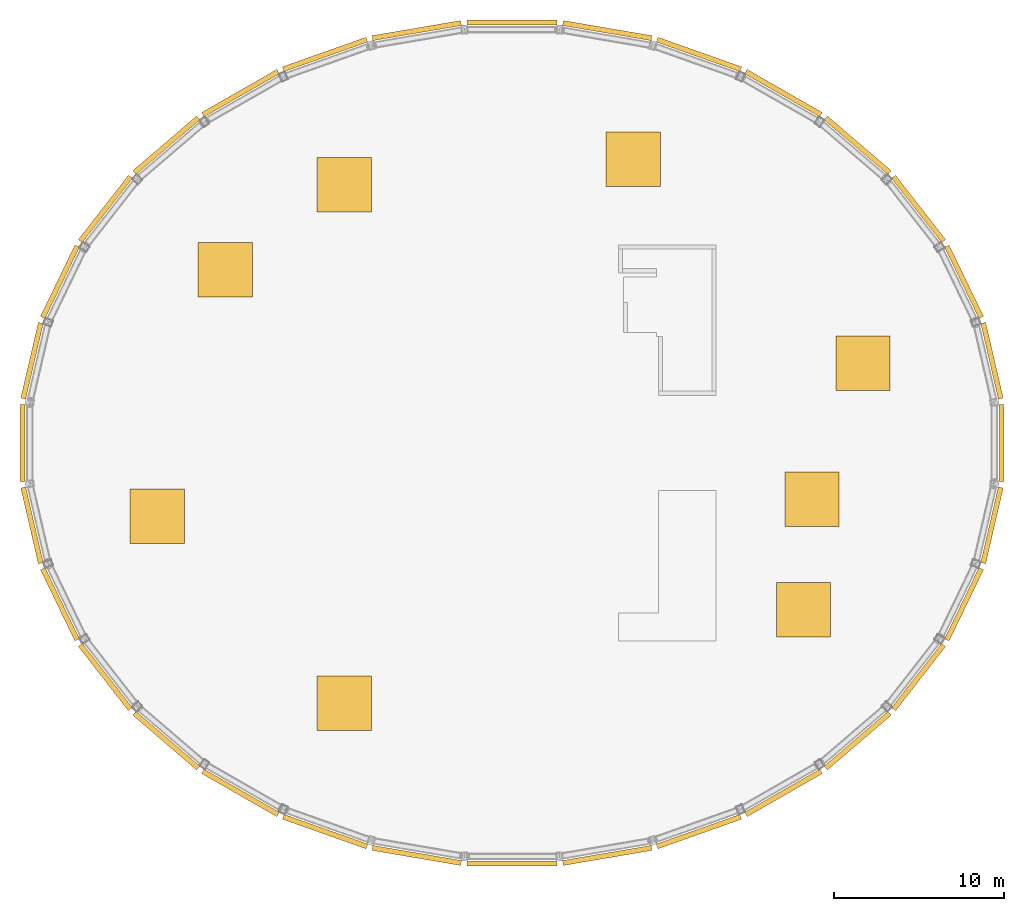
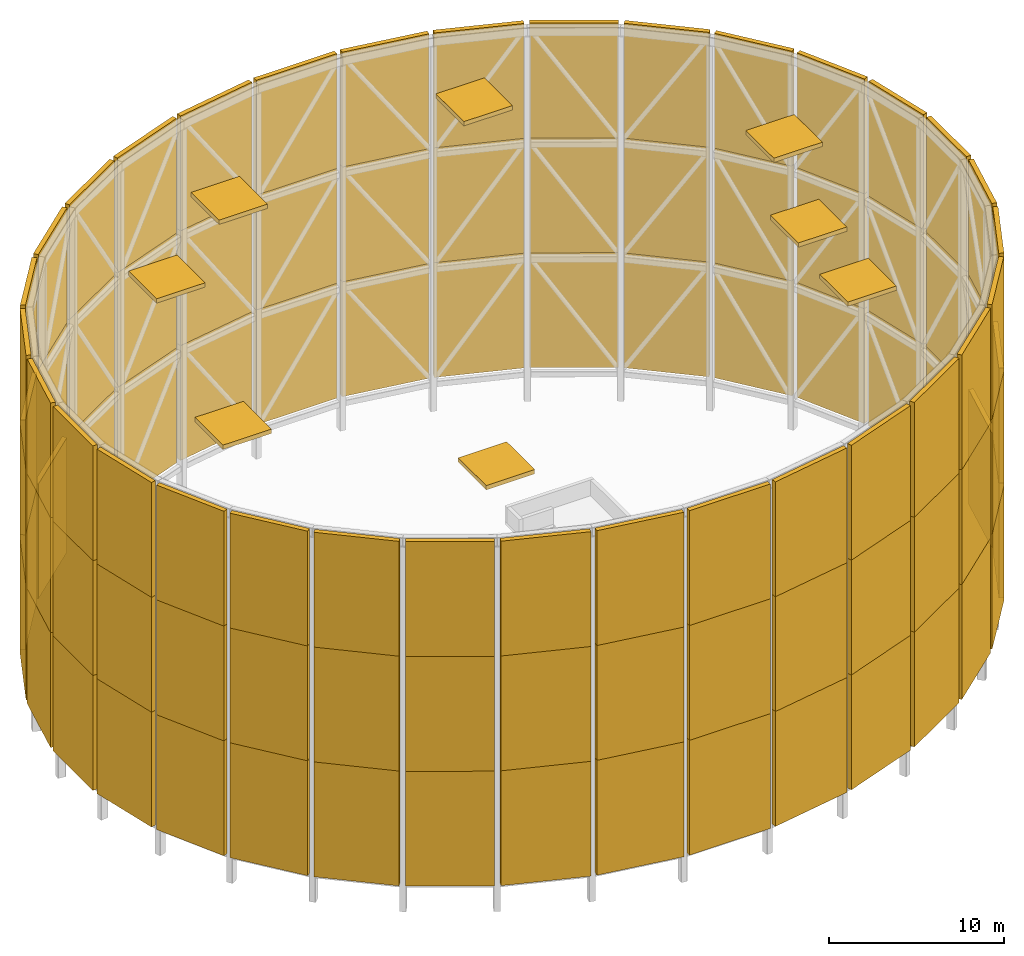
# One storey, part 8 of 8: 104 shading devices.
"""IFC4 building model written with IfcOpenShell, lengths in metres."""

from ifc_helpers import new_model, si_unit, direction, frame, origin, origin_2d, place, context, subcontext, project, spatial, rectangle, extrude, material, layer, layer_set, type_object, element, save


model = new_model("IFC4")

# Units and contexts
model_context = context("Model", 3, precision=1e-05, world=origin(), true_north=direction((0.0, 1.0)))
body_context = subcontext(model_context, "Body", "Model", "MODEL_VIEW")
ifc_project = project(units=[si_unit("LENGTHUNIT", "METRE"), si_unit("AREAUNIT", "SQUARE_METRE"), si_unit("VOLUMEUNIT", "CUBIC_METRE"), si_unit("PLANEANGLEUNIT", "RADIAN"), si_unit("MASSUNIT", "GRAM", prefix="KILO")], contexts=[model_context])

# Site, building, storey
site_placement = place(None, origin())
site = spatial("IfcSite", under=ifc_project, at=site_placement, CompositionType="ELEMENT")
building_placement = place(site_placement, origin())
building = spatial("IfcBuilding", under=site, at=building_placement, Name="Halqa Exchange Tower", CompositionType="ELEMENT")
storey_placement = place(building_placement, frame((0.0, 0.0, 355.300048828125)))
storey = spatial("IfcBuildingStorey", under=building, at=storey_placement, Name="Roof level crown frame", CompositionType="ELEMENT", Elevation=355.300048828125)

# Shading devices
ifc_material = material(Name="Anodised aluminium louvre", Category="aluminium")
ifc_layer_1 = layer(ifc_material, 0.300048828125)
ifc_layer_set_1 = layer_set([ifc_layer_1], Name="Anodised aluminium louvre")
shading_device_type_1 = type_object("IfcShadingDeviceType", Name="Crown louvre SCREEN panel 300", PredefinedType="USERDEFINED", material=ifc_layer_set_1)
for number, where, z_axis, x_axis, name in (
    (1, (28.221923828125, 4.83642578125, 2.0), (0.0, 0.0, 1.0), (-0.22612090233, 0.974099244189, 0.0), "Crown louvre SCREEN 1.2"),
    (2, (28.221923828125, 4.83642578125, 10.0), (0.0, 0.0, 1.0), (-0.22612090233, 0.974099244189, 0.0), "Crown louvre SCREEN 1.3"),
    (3, (28.221923828125, 4.83642578125, 18.0), (0.0, 0.0, 1.0), (-0.22612090233, 0.974099244189, 0.0), "Crown louvre SCREEN 1.4"),
):
    element("IfcShadingDevice", number, at=place(storey_placement, frame(where, z_axis=z_axis, x_axis=x_axis)), inside=storey, type_object=shading_device_type_1, Name=name, ObjectType="SCREEN", PredefinedType="USERDEFINED", context=body_context, shape_type="SweptSolid", body=[
        extrude(rectangle(XDim=4.570556640625, YDim=0.300048828125, at=origin_2d()), origin(), (0.0, 0.0, 1.0), 8.0),
    ])
for number, where, z_axis, x_axis, name in (
    (4, (26.576904296875, 9.4833984375, 2.0), (0.0, 0.0, 1.0), (-0.435179244012, 0.900343837421, 0.0), "Crown louvre SCREEN 2.2"),
    (5, (26.576904296875, 9.4833984375, 10.0), (0.0, 0.0, 1.0), (-0.435179244012, 0.900343837421, 0.0), "Crown louvre SCREEN 2.3"),
    (6, (26.576904296875, 9.4833984375, 18.0), (0.0, 0.0, 1.0), (-0.435179244012, 0.900343837421, 0.0), "Crown louvre SCREEN 2.4"),
):
    element("IfcShadingDevice", number, at=place(storey_placement, frame(where, z_axis=z_axis, x_axis=x_axis)), inside=storey, type_object=shading_device_type_1, Name=name, ObjectType="SCREEN", PredefinedType="USERDEFINED", context=body_context, shape_type="SweptSolid", body=[
        extrude(rectangle(XDim=4.660400390625, YDim=0.300048828125, at=origin_2d()), origin(), (0.0, 0.0, 1.0), 8.0),
    ])
for number, where, z_axis, x_axis, name in (
    (7, (23.9091796875, 13.760498046875, 2.0), (0.0, 0.0, 1.0), (-0.6149075085, 0.788599236616, 0.0), "Crown louvre SCREEN 3.2"),
    (8, (23.9091796875, 13.760498046875, 10.0), (0.0, 0.0, 1.0), (-0.6149075085, 0.788599236616, 0.0), "Crown louvre SCREEN 3.3"),
    (9, (23.9091796875, 13.760498046875, 18.0), (0.0, 0.0, 1.0), (-0.6149075085, 0.788599236616, 0.0), "Crown louvre SCREEN 3.4"),
):
    element("IfcShadingDevice", number, at=place(storey_placement, frame(where, z_axis=z_axis, x_axis=x_axis)), inside=storey, type_object=shading_device_type_1, Name=name, ObjectType="SCREEN", PredefinedType="USERDEFINED", context=body_context, shape_type="SweptSolid", body=[
        extrude(rectangle(XDim=4.792236328125, YDim=0.300048828125, at=origin_2d()), origin(), (0.0, 0.0, 1.0), 8.0),
    ])
for number, where, z_axis, x_axis, name in (
    (10, (20.324462890625, 17.503662109375, 2.0), (0.0, 0.0, 1.0), (-0.759317873817, 0.650719883284, 0.0), "Crown louvre SCREEN 4.2"),
    (11, (20.324462890625, 17.503662109375, 10.0), (0.0, 0.0, 1.0), (-0.759317873817, 0.650719883284, 0.0), "Crown louvre SCREEN 4.3"),
    (12, (20.324462890625, 17.503662109375, 18.0), (0.0, 0.0, 1.0), (-0.759317873817, 0.650719883284, 0.0), "Crown louvre SCREEN 4.4"),
):
    element("IfcShadingDevice", number, at=place(storey_placement, frame(where, z_axis=z_axis, x_axis=x_axis)), inside=storey, type_object=shading_device_type_1, Name=name, ObjectType="SCREEN", PredefinedType="USERDEFINED", context=body_context, shape_type="SweptSolid", body=[
        extrude(rectangle(XDim=4.943603515625, YDim=0.300048828125, at=origin_2d()), origin(), (0.0, 0.0, 1.0), 8.0),
    ])
for number, where, z_axis, x_axis, name in (
    (13, (15.962646484375, 20.5712890625, 2.0), (0.0, 0.0, 1.0), (-0.867803615671, 0.496907319959, 0.0), "Crown louvre SCREEN 5.2"),
    (14, (15.962646484375, 20.5712890625, 10.0), (0.0, 0.0, 1.0), (-0.867803615671, 0.496907319959, 0.0), "Crown louvre SCREEN 5.3"),
    (15, (15.962646484375, 20.5712890625, 18.0), (0.0, 0.0, 1.0), (-0.867803615671, 0.496907319959, 0.0), "Crown louvre SCREEN 5.4"),
):
    element("IfcShadingDevice", number, at=place(storey_placement, frame(where, z_axis=z_axis, x_axis=x_axis)), inside=storey, type_object=shading_device_type_1, Name=name, ObjectType="SCREEN", PredefinedType="USERDEFINED", context=body_context, shape_type="SweptSolid", body=[
        extrude(rectangle(XDim=5.0908203125, YDim=0.300048828125, at=origin_2d()), origin(), (0.0, 0.0, 1.0), 8.0),
    ])
for number, where, z_axis, x_axis, name in (
    (16, (10.99169921875, 22.84814453125, 2.0), (0.0, 0.0, 1.0), (-0.94238778719, 0.334522433559, 0.0), "Crown louvre SCREEN 6.2"),
    (17, (10.99169921875, 22.84814453125, 10.0), (0.0, 0.0, 1.0), (-0.94238778719, 0.334522433559, 0.0), "Crown louvre SCREEN 6.3"),
    (18, (10.99169921875, 22.84814453125, 18.0), (0.0, 0.0, 1.0), (-0.94238778719, 0.334522433559, 0.0), "Crown louvre SCREEN 6.4"),
):
    element("IfcShadingDevice", number, at=place(storey_placement, frame(where, z_axis=z_axis, x_axis=x_axis)), inside=storey, type_object=shading_device_type_1, Name=name, ObjectType="SCREEN", PredefinedType="USERDEFINED", context=body_context, shape_type="SweptSolid", body=[
        extrude(rectangle(XDim=5.212646484375, YDim=0.300048828125, at=origin_2d()), origin(), (0.0, 0.0, 1.0), 8.0),
    ])
for number, where, z_axis, x_axis, name in (
    (19, (5.6025390625, 24.249267578125, 2.0), (0.0, 0.0, 1.0), (-0.985778359171, 0.168050666732, 0.0), "Crown louvre SCREEN 7.2"),
    (20, (5.6025390625, 24.249267578125, 10.0), (0.0, 0.0, 1.0), (-0.985778359171, 0.168050666732, 0.0), "Crown louvre SCREEN 7.3"),
    (21, (5.6025390625, 24.249267578125, 18.0), (0.0, 0.0, 1.0), (-0.985778359171, 0.168050666732, 0.0), "Crown louvre SCREEN 7.4"),
):
    element("IfcShadingDevice", number, at=place(storey_placement, frame(where, z_axis=z_axis, x_axis=x_axis)), inside=storey, type_object=shading_device_type_1, Name=name, ObjectType="SCREEN", PredefinedType="USERDEFINED", context=body_context, shape_type="SweptSolid", body=[
        extrude(rectangle(XDim=5.29248046875, YDim=0.300048828125, at=origin_2d()), origin(), (0.0, 0.0, 1.0), 8.0),
    ])
for number, where, z_axis, x_axis, name in (
    (22, (0.0, 24.72216796875, 2.0), (0.0, 0.0, 1.0), (-1.0, 0.0, 0.0), "Crown louvre SCREEN 8.2"),
    (23, (0.0, 24.72216796875, 10.0), (0.0, 0.0, 1.0), (-1.0, 0.0, 0.0), "Crown louvre SCREEN 8.3"),
    (24, (0.0, 24.72216796875, 18.0), (0.0, 0.0, 1.0), (-1.0, 0.0, 0.0), "Crown louvre SCREEN 8.4"),
):
    element("IfcShadingDevice", number, at=place(storey_placement, frame(where, z_axis=z_axis, x_axis=x_axis)), inside=storey, type_object=shading_device_type_1, Name=name, ObjectType="SCREEN", PredefinedType="USERDEFINED", context=body_context, shape_type="SweptSolid", body=[
        extrude(rectangle(XDim=5.320556640625, YDim=0.300048828125, at=origin_2d()), origin(), (0.0, 0.0, 1.0), 8.0),
    ])
for number, where, z_axis, x_axis, name in (
    (25, (-5.6025390625, 24.249267578125, 2.0), (0.0, 0.0, 1.0), (-0.985778359171, -0.168050666732, 0.0), "Crown louvre SCREEN 9.2"),
    (26, (-5.6025390625, 24.249267578125, 10.0), (0.0, 0.0, 1.0), (-0.985778359171, -0.168050666732, 0.0), "Crown louvre SCREEN 9.3"),
    (27, (-5.6025390625, 24.249267578125, 18.0), (0.0, 0.0, 1.0), (-0.985778359171, -0.168050666732, 0.0), "Crown louvre SCREEN 9.4"),
):
    element("IfcShadingDevice", number, at=place(storey_placement, frame(where, z_axis=z_axis, x_axis=x_axis)), inside=storey, type_object=shading_device_type_1, Name=name, ObjectType="SCREEN", PredefinedType="USERDEFINED", context=body_context, shape_type="SweptSolid", body=[
        extrude(rectangle(XDim=5.29248046875, YDim=0.300048828125, at=origin_2d()), origin(), (0.0, 0.0, 1.0), 8.0),
    ])
for number, where, z_axis, x_axis, name in (
    (28, (-10.99169921875, 22.84814453125, 2.0), (0.0, 0.0, 1.0), (-0.94238778719, -0.334522433559, 0.0), "Crown louvre SCREEN 10.2"),
    (29, (-10.99169921875, 22.84814453125, 10.0), (0.0, 0.0, 1.0), (-0.94238778719, -0.334522433559, 0.0), "Crown louvre SCREEN 10.3"),
    (30, (-10.99169921875, 22.84814453125, 18.0), (0.0, 0.0, 1.0), (-0.94238778719, -0.334522433559, 0.0), "Crown louvre SCREEN 10.4"),
):
    element("IfcShadingDevice", number, at=place(storey_placement, frame(where, z_axis=z_axis, x_axis=x_axis)), inside=storey, type_object=shading_device_type_1, Name=name, ObjectType="SCREEN", PredefinedType="USERDEFINED", context=body_context, shape_type="SweptSolid", body=[
        extrude(rectangle(XDim=5.212646484375, YDim=0.300048828125, at=origin_2d()), origin(), (0.0, 0.0, 1.0), 8.0),
    ])
for number, where, z_axis, x_axis, name in (
    (31, (-15.962646484375, 20.5712890625, 2.0), (0.0, 0.0, 1.0), (-0.867803615671, -0.496907319959, 0.0), "Crown louvre SCREEN 11.2"),
    (32, (-15.962646484375, 20.5712890625, 10.0), (0.0, 0.0, 1.0), (-0.867803615671, -0.496907319959, 0.0), "Crown louvre SCREEN 11.3"),
    (33, (-15.962646484375, 20.5712890625, 18.0), (0.0, 0.0, 1.0), (-0.867803615671, -0.496907319959, 0.0), "Crown louvre SCREEN 11.4"),
):
    element("IfcShadingDevice", number, at=place(storey_placement, frame(where, z_axis=z_axis, x_axis=x_axis)), inside=storey, type_object=shading_device_type_1, Name=name, ObjectType="SCREEN", PredefinedType="USERDEFINED", context=body_context, shape_type="SweptSolid", body=[
        extrude(rectangle(XDim=5.0908203125, YDim=0.300048828125, at=origin_2d()), origin(), (0.0, 0.0, 1.0), 8.0),
    ])
for number, where, z_axis, x_axis, name in (
    (34, (-20.324462890625, 17.503662109375, 2.0), (0.0, 0.0, 1.0), (-0.759317873817, -0.650719883284, 0.0), "Crown louvre SCREEN 12.2"),
    (35, (-20.324462890625, 17.503662109375, 10.0), (0.0, 0.0, 1.0), (-0.759317873817, -0.650719883284, 0.0), "Crown louvre SCREEN 12.3"),
    (36, (-20.324462890625, 17.503662109375, 18.0), (0.0, 0.0, 1.0), (-0.759317873817, -0.650719883284, 0.0), "Crown louvre SCREEN 12.4"),
):
    element("IfcShadingDevice", number, at=place(storey_placement, frame(where, z_axis=z_axis, x_axis=x_axis)), inside=storey, type_object=shading_device_type_1, Name=name, ObjectType="SCREEN", PredefinedType="USERDEFINED", context=body_context, shape_type="SweptSolid", body=[
        extrude(rectangle(XDim=4.943603515625, YDim=0.300048828125, at=origin_2d()), origin(), (0.0, 0.0, 1.0), 8.0),
    ])
for number, where, z_axis, x_axis, name in (
    (37, (-23.9091796875, 13.760498046875, 2.0), (0.0, 0.0, 1.0), (-0.6149075085, -0.788599236616, 0.0), "Crown louvre SCREEN 13.2"),
    (38, (-23.9091796875, 13.760498046875, 10.0), (0.0, 0.0, 1.0), (-0.6149075085, -0.788599236616, 0.0), "Crown louvre SCREEN 13.3"),
    (39, (-23.9091796875, 13.760498046875, 18.0), (0.0, 0.0, 1.0), (-0.6149075085, -0.788599236616, 0.0), "Crown louvre SCREEN 13.4"),
):
    element("IfcShadingDevice", number, at=place(storey_placement, frame(where, z_axis=z_axis, x_axis=x_axis)), inside=storey, type_object=shading_device_type_1, Name=name, ObjectType="SCREEN", PredefinedType="USERDEFINED", context=body_context, shape_type="SweptSolid", body=[
        extrude(rectangle(XDim=4.792236328125, YDim=0.300048828125, at=origin_2d()), origin(), (0.0, 0.0, 1.0), 8.0),
    ])
for number, where, z_axis, x_axis, name in (
    (40, (-26.576904296875, 9.4833984375, 2.0), (0.0, 0.0, 1.0), (-0.435179244012, -0.900343837421, 0.0), "Crown louvre SCREEN 14.2"),
    (41, (-26.576904296875, 9.4833984375, 10.0), (0.0, 0.0, 1.0), (-0.435179244012, -0.900343837421, 0.0), "Crown louvre SCREEN 14.3"),
    (42, (-26.576904296875, 9.4833984375, 18.0), (0.0, 0.0, 1.0), (-0.435179244012, -0.900343837421, 0.0), "Crown louvre SCREEN 14.4"),
):
    element("IfcShadingDevice", number, at=place(storey_placement, frame(where, z_axis=z_axis, x_axis=x_axis)), inside=storey, type_object=shading_device_type_1, Name=name, ObjectType="SCREEN", PredefinedType="USERDEFINED", context=body_context, shape_type="SweptSolid", body=[
        extrude(rectangle(XDim=4.660400390625, YDim=0.300048828125, at=origin_2d()), origin(), (0.0, 0.0, 1.0), 8.0),
    ])
for number, where, z_axis, x_axis, name in (
    (43, (-28.221923828125, 4.83642578125, 2.0), (0.0, 0.0, 1.0), (-0.22612090233, -0.974099244189, 0.0), "Crown louvre SCREEN 15.2"),
    (44, (-28.221923828125, 4.83642578125, 10.0), (0.0, 0.0, 1.0), (-0.22612090233, -0.974099244189, 0.0), "Crown louvre SCREEN 15.3"),
    (45, (-28.221923828125, 4.83642578125, 18.0), (0.0, 0.0, 1.0), (-0.22612090233, -0.974099244189, 0.0), "Crown louvre SCREEN 15.4"),
):
    element("IfcShadingDevice", number, at=place(storey_placement, frame(where, z_axis=z_axis, x_axis=x_axis)), inside=storey, type_object=shading_device_type_1, Name=name, ObjectType="SCREEN", PredefinedType="USERDEFINED", context=body_context, shape_type="SweptSolid", body=[
        extrude(rectangle(XDim=4.570556640625, YDim=0.300048828125, at=origin_2d()), origin(), (0.0, 0.0, 1.0), 8.0),
    ])
for number, where, z_axis, x_axis, name in (
    (46, (-28.77783203125, 0.0, 2.0), (0.0, 0.0, 1.0), (0.0, -1.0, 0.0), "Crown louvre SCREEN 16.2"),
    (47, (-28.77783203125, 0.0, 10.0), (0.0, 0.0, 1.0), (0.0, -1.0, 0.0), "Crown louvre SCREEN 16.3"),
    (48, (-28.77783203125, 0.0, 18.0), (0.0, 0.0, 1.0), (0.0, -1.0, 0.0), "Crown louvre SCREEN 16.4"),
):
    element("IfcShadingDevice", number, at=place(storey_placement, frame(where, z_axis=z_axis, x_axis=x_axis)), inside=storey, type_object=shading_device_type_1, Name=name, ObjectType="SCREEN", PredefinedType="USERDEFINED", context=body_context, shape_type="SweptSolid", body=[
        extrude(rectangle(XDim=4.53857421875, YDim=0.300048828125, at=origin_2d()), origin(), (0.0, 0.0, 1.0), 8.0),
    ])
for number, where, z_axis, x_axis, name in (
    (49, (-28.221923828125, -4.83642578125, 2.0), (0.0, 0.0, 1.0), (0.22612090233, -0.974099244189, 0.0), "Crown louvre SCREEN 17.2"),
    (50, (-28.221923828125, -4.83642578125, 10.0), (0.0, 0.0, 1.0), (0.22612090233, -0.974099244189, 0.0), "Crown louvre SCREEN 17.3"),
    (51, (-28.221923828125, -4.83642578125, 18.0), (0.0, 0.0, 1.0), (0.22612090233, -0.974099244189, 0.0), "Crown louvre SCREEN 17.4"),
):
    element("IfcShadingDevice", number, at=place(storey_placement, frame(where, z_axis=z_axis, x_axis=x_axis)), inside=storey, type_object=shading_device_type_1, Name=name, ObjectType="SCREEN", PredefinedType="USERDEFINED", context=body_context, shape_type="SweptSolid", body=[
        extrude(rectangle(XDim=4.570556640625, YDim=0.300048828125, at=origin_2d()), origin(), (0.0, 0.0, 1.0), 8.0),
    ])
for number, where, z_axis, x_axis, name in (
    (52, (-26.576904296875, -9.4833984375, 2.0), (0.0, 0.0, 1.0), (0.435179244012, -0.900343837421, 0.0), "Crown louvre SCREEN 18.2"),
    (53, (-26.576904296875, -9.4833984375, 10.0), (0.0, 0.0, 1.0), (0.435179244012, -0.900343837421, 0.0), "Crown louvre SCREEN 18.3"),
    (54, (-26.576904296875, -9.4833984375, 18.0), (0.0, 0.0, 1.0), (0.435179244012, -0.900343837421, 0.0), "Crown louvre SCREEN 18.4"),
):
    element("IfcShadingDevice", number, at=place(storey_placement, frame(where, z_axis=z_axis, x_axis=x_axis)), inside=storey, type_object=shading_device_type_1, Name=name, ObjectType="SCREEN", PredefinedType="USERDEFINED", context=body_context, shape_type="SweptSolid", body=[
        extrude(rectangle(XDim=4.660400390625, YDim=0.300048828125, at=origin_2d()), origin(), (0.0, 0.0, 1.0), 8.0),
    ])
for number, where, z_axis, x_axis, name in (
    (55, (-23.9091796875, -13.760498046875, 2.0), (0.0, 0.0, 1.0), (0.6149075085, -0.788599236616, 0.0), "Crown louvre SCREEN 19.2"),
    (56, (-23.9091796875, -13.760498046875, 10.0), (0.0, 0.0, 1.0), (0.6149075085, -0.788599236616, 0.0), "Crown louvre SCREEN 19.3"),
    (57, (-23.9091796875, -13.760498046875, 18.0), (0.0, 0.0, 1.0), (0.6149075085, -0.788599236616, 0.0), "Crown louvre SCREEN 19.4"),
):
    element("IfcShadingDevice", number, at=place(storey_placement, frame(where, z_axis=z_axis, x_axis=x_axis)), inside=storey, type_object=shading_device_type_1, Name=name, ObjectType="SCREEN", PredefinedType="USERDEFINED", context=body_context, shape_type="SweptSolid", body=[
        extrude(rectangle(XDim=4.792236328125, YDim=0.300048828125, at=origin_2d()), origin(), (0.0, 0.0, 1.0), 8.0),
    ])
for number, where, z_axis, x_axis, name in (
    (58, (-20.324462890625, -17.503662109375, 2.0), (0.0, 0.0, 1.0), (0.759317873817, -0.650719883284, 0.0), "Crown louvre SCREEN 20.2"),
    (59, (-20.324462890625, -17.503662109375, 10.0), (0.0, 0.0, 1.0), (0.759317873817, -0.650719883284, 0.0), "Crown louvre SCREEN 20.3"),
    (60, (-20.324462890625, -17.503662109375, 18.0), (0.0, 0.0, 1.0), (0.759317873817, -0.650719883284, 0.0), "Crown louvre SCREEN 20.4"),
):
    element("IfcShadingDevice", number, at=place(storey_placement, frame(where, z_axis=z_axis, x_axis=x_axis)), inside=storey, type_object=shading_device_type_1, Name=name, ObjectType="SCREEN", PredefinedType="USERDEFINED", context=body_context, shape_type="SweptSolid", body=[
        extrude(rectangle(XDim=4.943603515625, YDim=0.300048828125, at=origin_2d()), origin(), (0.0, 0.0, 1.0), 8.0),
    ])
for number, where, z_axis, x_axis, name in (
    (61, (-15.962646484375, -20.5712890625, 2.0), (0.0, 0.0, 1.0), (0.867803615671, -0.496907319959, 0.0), "Crown louvre SCREEN 21.2"),
    (62, (-15.962646484375, -20.5712890625, 10.0), (0.0, 0.0, 1.0), (0.867803615671, -0.496907319959, 0.0), "Crown louvre SCREEN 21.3"),
    (63, (-15.962646484375, -20.5712890625, 18.0), (0.0, 0.0, 1.0), (0.867803615671, -0.496907319959, 0.0), "Crown louvre SCREEN 21.4"),
):
    element("IfcShadingDevice", number, at=place(storey_placement, frame(where, z_axis=z_axis, x_axis=x_axis)), inside=storey, type_object=shading_device_type_1, Name=name, ObjectType="SCREEN", PredefinedType="USERDEFINED", context=body_context, shape_type="SweptSolid", body=[
        extrude(rectangle(XDim=5.0908203125, YDim=0.300048828125, at=origin_2d()), origin(), (0.0, 0.0, 1.0), 8.0),
    ])
for number, where, z_axis, x_axis, name in (
    (64, (-10.99169921875, -22.84814453125, 2.0), (0.0, 0.0, 1.0), (0.94238778719, -0.334522433559, 0.0), "Crown louvre SCREEN 22.2"),
    (65, (-10.99169921875, -22.84814453125, 10.0), (0.0, 0.0, 1.0), (0.94238778719, -0.334522433559, 0.0), "Crown louvre SCREEN 22.3"),
    (66, (-10.99169921875, -22.84814453125, 18.0), (0.0, 0.0, 1.0), (0.94238778719, -0.334522433559, 0.0), "Crown louvre SCREEN 22.4"),
):
    element("IfcShadingDevice", number, at=place(storey_placement, frame(where, z_axis=z_axis, x_axis=x_axis)), inside=storey, type_object=shading_device_type_1, Name=name, ObjectType="SCREEN", PredefinedType="USERDEFINED", context=body_context, shape_type="SweptSolid", body=[
        extrude(rectangle(XDim=5.212646484375, YDim=0.300048828125, at=origin_2d()), origin(), (0.0, 0.0, 1.0), 8.0),
    ])
for number, where, z_axis, x_axis, name in (
    (67, (-5.6025390625, -24.249267578125, 2.0), (0.0, 0.0, 1.0), (0.985778359171, -0.168050666732, 0.0), "Crown louvre SCREEN 23.2"),
    (68, (-5.6025390625, -24.249267578125, 10.0), (0.0, 0.0, 1.0), (0.985778359171, -0.168050666732, 0.0), "Crown louvre SCREEN 23.3"),
    (69, (-5.6025390625, -24.249267578125, 18.0), (0.0, 0.0, 1.0), (0.985778359171, -0.168050666732, 0.0), "Crown louvre SCREEN 23.4"),
):
    element("IfcShadingDevice", number, at=place(storey_placement, frame(where, z_axis=z_axis, x_axis=x_axis)), inside=storey, type_object=shading_device_type_1, Name=name, ObjectType="SCREEN", PredefinedType="USERDEFINED", context=body_context, shape_type="SweptSolid", body=[
        extrude(rectangle(XDim=5.29248046875, YDim=0.300048828125, at=origin_2d()), origin(), (0.0, 0.0, 1.0), 8.0),
    ])
for number, where, z_axis, x_axis, name in (
    (70, (0.0, -24.72216796875, 2.0), (0.0, 0.0, 1.0), (1.0, 0.0, 0.0), "Crown louvre SCREEN 24.2"),
    (71, (0.0, -24.72216796875, 10.0), (0.0, 0.0, 1.0), (1.0, 0.0, 0.0), "Crown louvre SCREEN 24.3"),
    (72, (0.0, -24.72216796875, 18.0), (0.0, 0.0, 1.0), (1.0, 0.0, 0.0), "Crown louvre SCREEN 24.4"),
):
    element("IfcShadingDevice", number, at=place(storey_placement, frame(where, z_axis=z_axis, x_axis=x_axis)), inside=storey, type_object=shading_device_type_1, Name=name, ObjectType="SCREEN", PredefinedType="USERDEFINED", context=body_context, shape_type="SweptSolid", body=[
        extrude(rectangle(XDim=5.320556640625, YDim=0.300048828125, at=origin_2d()), origin(), (0.0, 0.0, 1.0), 8.0),
    ])
for number, where, z_axis, x_axis, name in (
    (73, (5.6025390625, -24.249267578125, 2.0), (0.0, 0.0, 1.0), (0.985778359171, 0.168050666732, 0.0), "Crown louvre SCREEN 25.2"),
    (74, (5.6025390625, -24.249267578125, 10.0), (0.0, 0.0, 1.0), (0.985778359171, 0.168050666732, 0.0), "Crown louvre SCREEN 25.3"),
    (75, (5.6025390625, -24.249267578125, 18.0), (0.0, 0.0, 1.0), (0.985778359171, 0.168050666732, 0.0), "Crown louvre SCREEN 25.4"),
):
    element("IfcShadingDevice", number, at=place(storey_placement, frame(where, z_axis=z_axis, x_axis=x_axis)), inside=storey, type_object=shading_device_type_1, Name=name, ObjectType="SCREEN", PredefinedType="USERDEFINED", context=body_context, shape_type="SweptSolid", body=[
        extrude(rectangle(XDim=5.29248046875, YDim=0.300048828125, at=origin_2d()), origin(), (0.0, 0.0, 1.0), 8.0),
    ])
for number, where, z_axis, x_axis, name in (
    (76, (10.99169921875, -22.84814453125, 2.0), (0.0, 0.0, 1.0), (0.94238778719, 0.334522433559, 0.0), "Crown louvre SCREEN 26.2"),
    (77, (10.99169921875, -22.84814453125, 10.0), (0.0, 0.0, 1.0), (0.94238778719, 0.334522433559, 0.0), "Crown louvre SCREEN 26.3"),
    (78, (10.99169921875, -22.84814453125, 18.0), (0.0, 0.0, 1.0), (0.94238778719, 0.334522433559, 0.0), "Crown louvre SCREEN 26.4"),
):
    element("IfcShadingDevice", number, at=place(storey_placement, frame(where, z_axis=z_axis, x_axis=x_axis)), inside=storey, type_object=shading_device_type_1, Name=name, ObjectType="SCREEN", PredefinedType="USERDEFINED", context=body_context, shape_type="SweptSolid", body=[
        extrude(rectangle(XDim=5.212646484375, YDim=0.300048828125, at=origin_2d()), origin(), (0.0, 0.0, 1.0), 8.0),
    ])
for number, where, z_axis, x_axis, name in (
    (79, (15.962646484375, -20.5712890625, 2.0), (0.0, 0.0, 1.0), (0.867803615671, 0.496907319959, 0.0), "Crown louvre SCREEN 27.2"),
    (80, (15.962646484375, -20.5712890625, 10.0), (0.0, 0.0, 1.0), (0.867803615671, 0.496907319959, 0.0), "Crown louvre SCREEN 27.3"),
    (81, (15.962646484375, -20.5712890625, 18.0), (0.0, 0.0, 1.0), (0.867803615671, 0.496907319959, 0.0), "Crown louvre SCREEN 27.4"),
):
    element("IfcShadingDevice", number, at=place(storey_placement, frame(where, z_axis=z_axis, x_axis=x_axis)), inside=storey, type_object=shading_device_type_1, Name=name, ObjectType="SCREEN", PredefinedType="USERDEFINED", context=body_context, shape_type="SweptSolid", body=[
        extrude(rectangle(XDim=5.0908203125, YDim=0.300048828125, at=origin_2d()), origin(), (0.0, 0.0, 1.0), 8.0),
    ])
for number, where, z_axis, x_axis, name in (
    (82, (20.324462890625, -17.503662109375, 2.0), (0.0, 0.0, 1.0), (0.759317873817, 0.650719883284, 0.0), "Crown louvre SCREEN 28.2"),
    (83, (20.324462890625, -17.503662109375, 10.0), (0.0, 0.0, 1.0), (0.759317873817, 0.650719883284, 0.0), "Crown louvre SCREEN 28.3"),
    (84, (20.324462890625, -17.503662109375, 18.0), (0.0, 0.0, 1.0), (0.759317873817, 0.650719883284, 0.0), "Crown louvre SCREEN 28.4"),
):
    element("IfcShadingDevice", number, at=place(storey_placement, frame(where, z_axis=z_axis, x_axis=x_axis)), inside=storey, type_object=shading_device_type_1, Name=name, ObjectType="SCREEN", PredefinedType="USERDEFINED", context=body_context, shape_type="SweptSolid", body=[
        extrude(rectangle(XDim=4.943603515625, YDim=0.300048828125, at=origin_2d()), origin(), (0.0, 0.0, 1.0), 8.0),
    ])
for number, where, z_axis, x_axis, name in (
    (85, (23.9091796875, -13.760498046875, 2.0), (0.0, 0.0, 1.0), (0.6149075085, 0.788599236616, 0.0), "Crown louvre SCREEN 29.2"),
    (86, (23.9091796875, -13.760498046875, 10.0), (0.0, 0.0, 1.0), (0.6149075085, 0.788599236616, 0.0), "Crown louvre SCREEN 29.3"),
    (87, (23.9091796875, -13.760498046875, 18.0), (0.0, 0.0, 1.0), (0.6149075085, 0.788599236616, 0.0), "Crown louvre SCREEN 29.4"),
):
    element("IfcShadingDevice", number, at=place(storey_placement, frame(where, z_axis=z_axis, x_axis=x_axis)), inside=storey, type_object=shading_device_type_1, Name=name, ObjectType="SCREEN", PredefinedType="USERDEFINED", context=body_context, shape_type="SweptSolid", body=[
        extrude(rectangle(XDim=4.792236328125, YDim=0.300048828125, at=origin_2d()), origin(), (0.0, 0.0, 1.0), 8.0),
    ])
for number, where, z_axis, x_axis, name in (
    (88, (26.576904296875, -9.4833984375, 2.0), (0.0, 0.0, 1.0), (0.435179244012, 0.900343837421, 0.0), "Crown louvre SCREEN 30.2"),
    (89, (26.576904296875, -9.4833984375, 10.0), (0.0, 0.0, 1.0), (0.435179244012, 0.900343837421, 0.0), "Crown louvre SCREEN 30.3"),
    (90, (26.576904296875, -9.4833984375, 18.0), (0.0, 0.0, 1.0), (0.435179244012, 0.900343837421, 0.0), "Crown louvre SCREEN 30.4"),
):
    element("IfcShadingDevice", number, at=place(storey_placement, frame(where, z_axis=z_axis, x_axis=x_axis)), inside=storey, type_object=shading_device_type_1, Name=name, ObjectType="SCREEN", PredefinedType="USERDEFINED", context=body_context, shape_type="SweptSolid", body=[
        extrude(rectangle(XDim=4.660400390625, YDim=0.300048828125, at=origin_2d()), origin(), (0.0, 0.0, 1.0), 8.0),
    ])
for number, where, z_axis, x_axis, name in (
    (91, (28.221923828125, -4.83642578125, 2.0), (0.0, 0.0, 1.0), (0.22612090233, 0.974099244189, 0.0), "Crown louvre SCREEN 31.2"),
    (92, (28.221923828125, -4.83642578125, 10.0), (0.0, 0.0, 1.0), (0.22612090233, 0.974099244189, 0.0), "Crown louvre SCREEN 31.3"),
    (93, (28.221923828125, -4.83642578125, 18.0), (0.0, 0.0, 1.0), (0.22612090233, 0.974099244189, 0.0), "Crown louvre SCREEN 31.4"),
):
    element("IfcShadingDevice", number, at=place(storey_placement, frame(where, z_axis=z_axis, x_axis=x_axis)), inside=storey, type_object=shading_device_type_1, Name=name, ObjectType="SCREEN", PredefinedType="USERDEFINED", context=body_context, shape_type="SweptSolid", body=[
        extrude(rectangle(XDim=4.570556640625, YDim=0.300048828125, at=origin_2d()), origin(), (0.0, 0.0, 1.0), 8.0),
    ])
for number, where, z_axis, x_axis, name in (
    (94, (28.77783203125, 0.0, 2.0), (0.0, 0.0, 1.0), (0.0, 1.0, 0.0), "Crown louvre SCREEN 32.2"),
    (95, (28.77783203125, 0.0, 10.0), (0.0, 0.0, 1.0), (0.0, 1.0, 0.0), "Crown louvre SCREEN 32.3"),
    (96, (28.77783203125, 0.0, 18.0), (0.0, 0.0, 1.0), (0.0, 1.0, 0.0), "Crown louvre SCREEN 32.4"),
):
    element("IfcShadingDevice", number, at=place(storey_placement, frame(where, z_axis=z_axis, x_axis=x_axis)), inside=storey, type_object=shading_device_type_1, Name=name, ObjectType="SCREEN", PredefinedType="USERDEFINED", context=body_context, shape_type="SweptSolid", body=[
        extrude(rectangle(XDim=4.53857421875, YDim=0.300048828125, at=origin_2d()), origin(), (0.0, 0.0, 1.0), 8.0),
    ])
ifc_layer_2 = layer(ifc_material, 0.300048828125)
ifc_layer_set_2 = layer_set([ifc_layer_2], Name="Anodised aluminium louvre")
shading_device_type_2 = type_object("IfcShadingDeviceType", Name="Crown roof LOUVRE 3200", PredefinedType="USERDEFINED", material=ifc_layer_set_2)
for number, where, z_axis, x_axis, name in (
    (97, (20.636962890625, 4.68896484375, 25.69970703125), (0.0, 0.0, 1.0), (1.0, 0.0, 0.0), "Crown roof louvre CT-01"),
    (98, (7.136962890625, 16.68896484375, 25.69970703125), (0.0, 0.0, 1.0), (1.0, 0.0, 0.0), "Crown roof louvre CT-02"),
    (99, (-9.863037109375, 15.18896484375, 25.69970703125), (0.0, 0.0, 1.0), (1.0, 0.0, 0.0), "Crown roof louvre CT-03"),
    (100, (-16.863037109375, 10.18896484375, 25.69970703125), (0.0, 0.0, 1.0), (1.0, 0.0, 0.0), "Crown roof louvre CT-04"),
    (101, (-20.863037109375, -4.31103515625, 25.69970703125), (0.0, 0.0, 1.0), (1.0, 0.0, 0.0), "Crown roof louvre CT-05"),
    (102, (-9.863037109375, -15.31103515625, 25.69970703125), (0.0, 0.0, 1.0), (1.0, 0.0, 0.0), "Crown roof louvre CT-06"),
    (103, (17.136962890625, -9.81103515625, 25.69970703125), (0.0, 0.0, 1.0), (1.0, 0.0, 0.0), "Crown roof louvre CT-07"),
    (104, (17.636962890625, -3.31103515625, 25.69970703125), (0.0, 0.0, 1.0), (1.0, 0.0, 0.0), "Crown roof louvre CT-08"),
):
    element("IfcShadingDevice", number, at=place(storey_placement, frame(where, z_axis=z_axis, x_axis=x_axis)), inside=storey, type_object=shading_device_type_2, Name=name, ObjectType="LOUVRE", PredefinedType="USERDEFINED", context=body_context, shape_type="SweptSolid", body=[
        extrude(rectangle(XDim=3.197998046875, YDim=3.197998046875, at=origin_2d()), origin(), (0.0, 0.0, 1.0), 0.300048828125),
    ])

save(model, "model.ifc")
